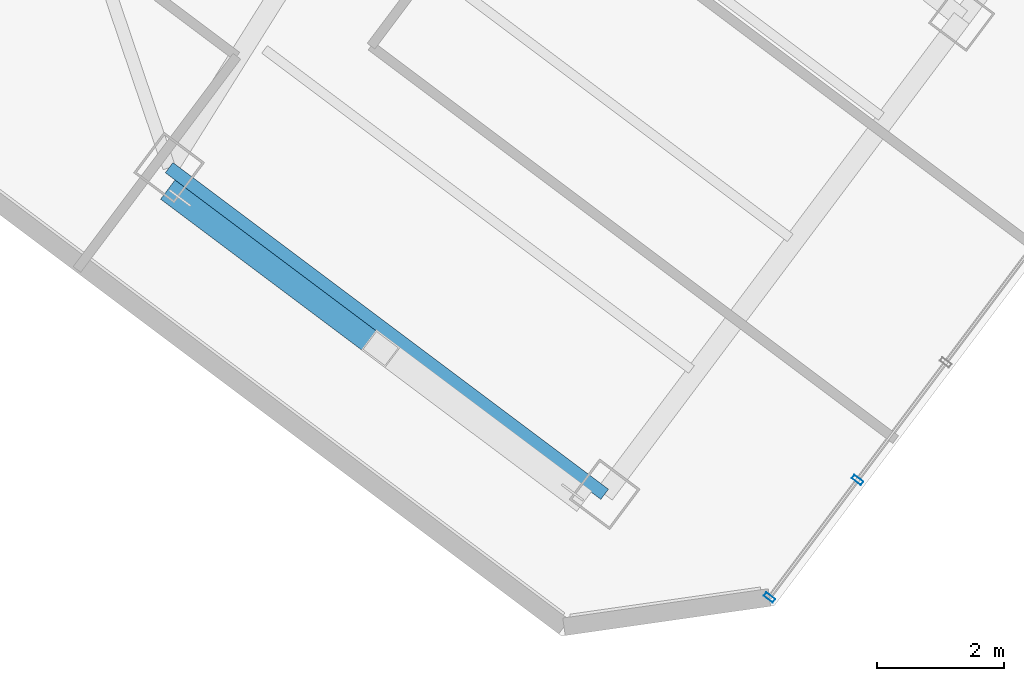
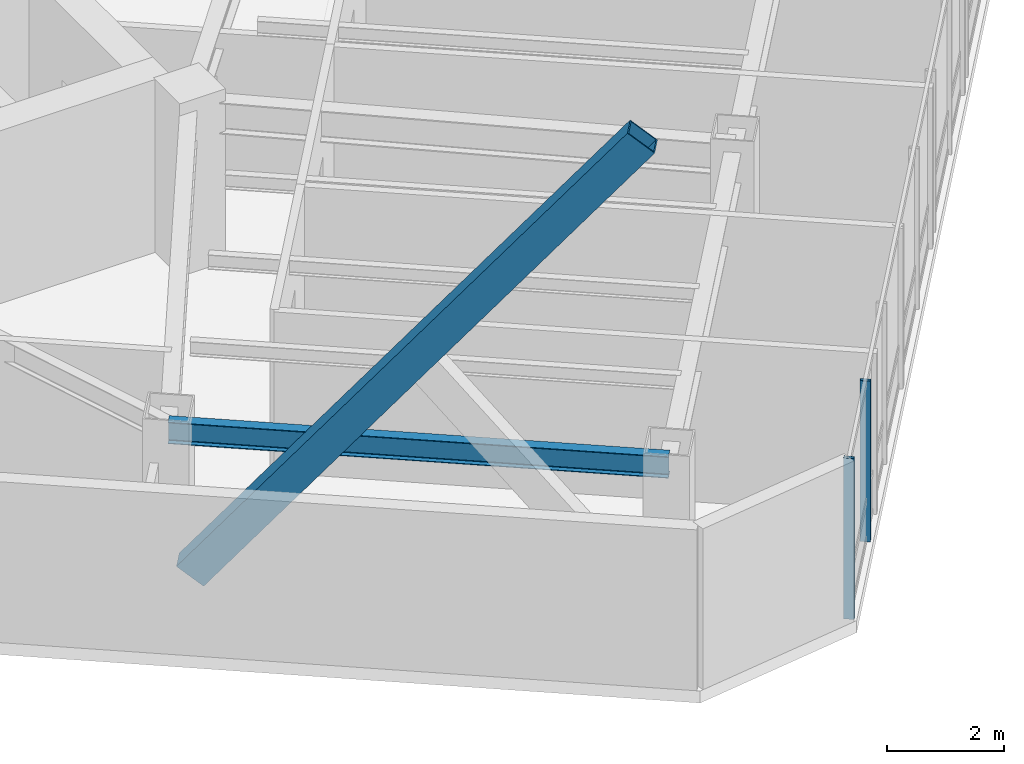
# One storey, part 10 of 27: 3 members, 1 beam, 1 element without a shape of its own.
"""IFC4 building model written with IfcOpenShell, lengths in metres."""

import ifcopenshell
import ifcopenshell.guid

model = None  # the IFC model being written
_history = None  # IfcOwnerHistory: only IFC2X3 demands one
_inside = {}  # id of a spatial element -> (the spatial element, [elements in it])
_under = {}  # id of a project, library or spatial element -> (it, [spatial elements below it])
_declared = {}  # id of a project -> (the project, [libraries it declares])
_typed = {}  # id of a type object -> (the type object, [elements of that type])
_made_of = {}  # id of a material, layer set ... -> (it, [elements and type objects made of it])


def new_model(schema):
    """Start an empty IFC model of exactly this schema.

    Asked for "IFC4X3", IfcOpenShell would pick the latest addendum, in which some entities
    have other attributes; the version numbers below select the first issue.
    IFC2X3 requires an IfcOwnerHistory on every rooted entity: one is made here for all.
    """
    global model, _history
    if schema == "IFC4X3":
        model = ifcopenshell.file(schema_version=(4, 3, 0, 0))
    else:
        model = ifcopenshell.file(schema=schema)
    _inside.clear()
    _under.clear()
    _declared.clear()
    _typed.clear()
    _made_of.clear()
    _history = None
    if model.schema == "IFC2X3":
        org = make("IfcOrganization", Name="unknown")
        user = make(
            "IfcPersonAndOrganization",
            ThePerson=make("IfcPerson", FamilyName="unknown"),
            TheOrganization=org,
        )
        app = make(
            "IfcApplication",
            ApplicationDeveloper=org,
            Version="unknown",
            ApplicationFullName="unknown",
            ApplicationIdentifier="unknown",
        )
        _history = make(
            "IfcOwnerHistory",
            OwningUser=user,
            OwningApplication=app,
            ChangeAction="ADDED",
            CreationDate=0,
        )
    return model


def make(cls, **values):
    """One entity of the class cls with the attributes given. An attribute that is None is left unset."""
    return model.create_entity(
        cls, **{name: value for name, value in values.items() if value is not None}
    )


def rooted(cls, **values):
    """An entity with a GlobalId (a new one), such as an element, a storey or a relation."""
    return make(cls, GlobalId=ifcopenshell.guid.new(), OwnerHistory=_history, **values)


def si_unit(unit_type, name, prefix=None):
    """IfcSIUnit, for example si_unit("LENGTHUNIT", "METRE", prefix="MILLI")."""
    return make("IfcSIUnit", UnitType=unit_type, Prefix=prefix, Name=name)


def assignment(units):
    """IfcUnitAssignment: the units of a project."""
    return None if units is None else make("IfcUnitAssignment", Units=units)


def point(xyz):
    """IfcCartesianPoint."""
    return None if xyz is None else make("IfcCartesianPoint", Coordinates=xyz)


def direction(xyz):
    """IfcDirection."""
    return None if xyz is None else make("IfcDirection", DirectionRatios=xyz)


def frame(location, z_axis=None, x_axis=None):
    """IfcAxis2Placement3D, a coordinate frame: its origin and axes. An axis left out is left unset."""
    return make(
        "IfcAxis2Placement3D",
        Location=point(location),
        Axis=direction(z_axis),
        RefDirection=direction(x_axis),
    )


def frame_2d(location, x_axis=None):
    """IfcAxis2Placement2D, a coordinate frame in the plane: its origin and x axis."""
    return make(
        "IfcAxis2Placement2D", Location=point(location), RefDirection=direction(x_axis)
    )


def origin():
    """The frame at (0, 0, 0) with its axes left unset."""
    return frame((0.0, 0.0, 0.0))


def origin_2d():
    """The frame at (0, 0) in the plane with its x axis left unset."""
    return frame_2d((0.0, 0.0))


def place(relative_to, where):
    """IfcLocalPlacement: puts the frame where relative to a parent placement (None: the world)."""
    return make(
        "IfcLocalPlacement", PlacementRelTo=relative_to, RelativePlacement=where
    )


def context(
    kind, dimensions, precision=None, world=None, true_north=None, identifier=None
):
    """IfcGeometricRepresentationContext, for example the 3D "Model" context."""
    return make(
        "IfcGeometricRepresentationContext",
        ContextIdentifier=identifier,
        ContextType=kind,
        CoordinateSpaceDimension=dimensions,
        Precision=precision,
        WorldCoordinateSystem=world,
        TrueNorth=true_north,
    )


def subcontext(parent, identifier, kind, view, scale=None):
    """IfcGeometricRepresentationSubContext, for example "Body" below "Model"."""
    return make(
        "IfcGeometricRepresentationSubContext",
        ContextIdentifier=identifier,
        ContextType=kind,
        ParentContext=parent,
        TargetScale=scale,
        TargetView=view,
    )


def project(units=None, contexts=None):
    """IfcProject with its units and contexts."""
    return rooted(
        "IfcProject",
        Name="project",
        RepresentationContexts=contexts,
        UnitsInContext=assignment(units),
    )


def spatial(cls, under=None, at=None, **own):
    """A site, building, storey or space (cls), placed at a placement, below another one or the project."""
    s = rooted(cls, ObjectPlacement=at, **own)
    if under is not None:
        _under.setdefault(under.id(), (under, []))[1].append(s)
    return s


def profile(cls, at=None, kind="AREA", **sizes):
    """A parametric profile (cls). Its sizes go by their IFC names, for example OverallWidth=200.0."""
    return make(cls, ProfileType=kind, Position=at, **sizes)


def hollow_rectangle(**sizes):
    """IfcRectangleHollowProfileDef."""
    return profile("IfcRectangleHollowProfileDef", **sizes)


def i_section(**sizes):
    """IfcIShapeProfileDef."""
    return profile("IfcIShapeProfileDef", **sizes)


def extrude(swept, where, along, depth):
    """IfcExtrudedAreaSolid: the profile swept, set in the frame where, extruded along a direction by depth."""
    return make(
        "IfcExtrudedAreaSolid",
        SweptArea=swept,
        Position=where,
        ExtrudedDirection=direction(along),
        Depth=depth,
    )


def shape(context_of_items, identifier, shape_type, items):
    """IfcShapeRepresentation: the items that make up one representation, for example the "Body"."""
    return make(
        "IfcShapeRepresentation",
        ContextOfItems=context_of_items,
        RepresentationIdentifier=identifier,
        RepresentationType=shape_type,
        Items=items,
    )


def material(Name=None, Category=None):
    """IfcMaterial."""
    return make("IfcMaterial", Name=Name, Category=Category)


def layer(
    of_material, thickness, ventilated=None, Name=None, Category=None, Priority=None
):
    """IfcMaterialLayer: one layer of a wall or slab, of a material (None: an air gap)."""
    return make(
        "IfcMaterialLayer",
        Material=of_material,
        LayerThickness=thickness,
        IsVentilated=ventilated,
        Name=Name,
        Category=Category,
        Priority=Priority,
    )


def layer_set(layers, Name=None):
    """IfcMaterialLayerSet."""
    return make("IfcMaterialLayerSet", MaterialLayers=layers, LayerSetName=Name)


def material_profile(
    of_material, cross_section, Name=None, Category=None, Priority=None
):
    """IfcMaterialProfile: a cross section and its material."""
    return make(
        "IfcMaterialProfile",
        Name=Name,
        Material=of_material,
        Profile=cross_section,
        Priority=Priority,
        Category=Category,
    )


def profile_set(profiles, Name=None, composite=None):
    """IfcMaterialProfileSet."""
    return make(
        "IfcMaterialProfileSet",
        Name=Name,
        MaterialProfiles=profiles,
        CompositeProfile=composite,
    )


def made_of(thing, what):
    """Note that an element or type object is made of a material, layer set ...; save() writes the relation."""
    if what is not None:
        _made_of.setdefault(what.id(), (what, []))[1].append(thing)
    return thing


def type_object(cls, material=None, **own):
    """A type object (cls), such as IfcWallType, which elements share."""
    return made_of(rooted(cls, **own), material)


def element(
    cls,
    number,
    at=None,
    inside=None,
    cuts=None,
    type_object=None,
    material=None,
    context=None,
    identifier="Body",
    shape_type=None,
    held_by="IfcProductDefinitionShape",
    body=None,
    shapes=None,
    **own,
):
    """One element of the class cls, such as IfcWall. Its Tag is "e" and its number.

    at: its placement. inside: the storey or other place that contains it. cuts: it is an
    opening in that element (IfcRelVoidsElement). A single representation is given by context,
    identifier, shape_type and body (its items); several are given by shapes. held_by: the class
    of the entity that holds the representations. save() writes the other relations.
    """
    e = rooted(cls, Tag="e%d" % number, ObjectPlacement=at, **own)
    if body is not None:
        shapes = [shape(context, identifier, shape_type, body)]
    if shapes is not None:
        e.Representation = make(held_by, Representations=shapes)
    if inside is not None:
        _inside.setdefault(inside.id(), (inside, []))[1].append(e)
    if cuts is not None:
        rooted(
            "IfcRelVoidsElement", RelatingBuildingElement=cuts, RelatedOpeningElement=e
        )
    if type_object is not None:
        _typed.setdefault(type_object.id(), (type_object, []))[1].append(e)
    return made_of(e, material)


def aggregate(whole, parts):
    """IfcRelAggregates: a whole, such as a stair, and the parts it consists of."""
    return rooted("IfcRelAggregates", RelatingObject=whole, RelatedObjects=parts)


def save(model, path):
    """Write the relations noted so far, then the file.

    IfcRelAggregates (storeys below a building ...), IfcRelContainedInSpatialStructure (elements
    in a storey), IfcRelDefinesByType, IfcRelAssociatesMaterial and IfcRelDeclares: one each for
    every whole, place, type object, material and project.
    """
    for whole, parts in _under.values():
        aggregate(whole, parts)
    for where, things in _inside.values():
        rooted(
            "IfcRelContainedInSpatialStructure",
            RelatedElements=things,
            RelatingStructure=where,
        )
    for kind, things in _typed.values():
        rooted("IfcRelDefinesByType", RelatedObjects=things, RelatingType=kind)
    for what, things in _made_of.values():
        rooted("IfcRelAssociatesMaterial", RelatedObjects=things, RelatingMaterial=what)
    for by, libraries in _declared.values():
        rooted("IfcRelDeclares", RelatingContext=by, RelatedDefinitions=libraries)
    model.write(path)


model = new_model("IFC4")

# Units and contexts
model_context = context("Model", 3, precision=1e-05, world=origin(), true_north=direction((0.0, 1.0)))
body_context = subcontext(model_context, "Body", "Model", "MODEL_VIEW")
ifc_project = project(units=[si_unit("LENGTHUNIT", "METRE"), si_unit("AREAUNIT", "SQUARE_METRE"), si_unit("VOLUMEUNIT", "CUBIC_METRE"), si_unit("PLANEANGLEUNIT", "RADIAN"), si_unit("MASSUNIT", "GRAM", prefix="KILO")], contexts=[model_context])

# Site, building, storey
site_placement = place(None, origin())
site = spatial("IfcSite", under=ifc_project, at=site_placement, CompositionType="ELEMENT")
building_placement = place(site_placement, origin())
building = spatial("IfcBuilding", under=site, at=building_placement, Name="Hatsunagi Terrace Concourse", CompositionType="ELEMENT")
storey_placement = place(building_placement, frame((0.0, 0.0, 167.25)))
storey = spatial("IfcBuildingStorey", under=building, at=storey_placement, Name="L44", CompositionType="ELEMENT", Elevation=167.25)

# Curtain wall, members
ifc_material_1 = material(Name="Anodised Aluminium Alloy 6063-T5", Category="aluminium")
ifc_layer = layer(ifc_material_1, 0.199951171875)
ifc_layer_set = layer_set([ifc_layer], Name="OfficeZone1_CW03")
curtain_wall_type = type_object("IfcCurtainWallType", Name="OfficeZone1_CW03", PredefinedType="NOTDEFINED", material=ifc_layer_set)
curtain_wall_placement = place(storey_placement, origin())
curtain_wall = element("IfcCurtainWall", 1, at=curtain_wall_placement, inside=storey, type_object=curtain_wall_type, Name="Unitised Curtain Wall CW-03 CW-L44-03", PredefinedType="NOTDEFINED")
ifc_material_2 = material(Name="Anodised Aluminium Alloy 6063-T5", Category="aluminium")
ifc_material_profile_1 = material_profile(ifc_material_2, hollow_rectangle(XDim=0.070068359375, YDim=0.179931640625, WallThickness=0.00390625, at=origin_2d()), Name="ALU-MUL-180x70x4")
ifc_profile_set_1 = profile_set([ifc_material_profile_1], Name="Anodised Aluminium Alloy 6063-T5")
member_type_1 = type_object("IfcMemberType", Name="CurtainWallMullion_180x70", PredefinedType="MULLION", material=ifc_profile_set_1)
member_1_placement = place(storey_placement, frame((49.554931640625, 11.10595703125, 0.0), z_axis=(0.0, 0.0, 1.0), x_axis=(-0.599969314634, -0.800023013105, 0.0)))
member_1 = element("IfcMember", 2, at=member_1_placement, type_object=member_type_1, Name="Curtain Wall Mullion MUL-02", PredefinedType="MULLION", context=body_context, shape_type="SweptSolid", body=[
    extrude(hollow_rectangle(XDim=0.070068359375, YDim=0.179931640625, WallThickness=0.00390625, at=origin_2d()), origin(), (0.0, 0.0, 1.0), 3.35009765625),
])
member_2_placement = place(storey_placement, frame((48.1630859375, 9.25, 0.0), z_axis=(0.0, 0.0, 1.0), x_axis=(-0.599969314634, -0.800023013105, 0.0)))
member_2 = element("IfcMember", 3, at=member_2_placement, type_object=member_type_1, Name="Curtain Wall Mullion MUL-02", PredefinedType="MULLION", context=body_context, shape_type="SweptSolid", body=[
    extrude(hollow_rectangle(XDim=0.070068359375, YDim=0.179931640625, WallThickness=0.00390625, at=origin_2d()), origin(), (0.0, 0.0, 1.0), 3.35009765625),
])
aggregate(curtain_wall, [member_1, member_2])

# Beam
ifc_material_3 = material(Name="Steel SN490B", Category="steel")
ifc_material_profile_2 = material_profile(ifc_material_3, i_section(OverallWidth=0.199951171875, OverallDepth=0.449951171875, WebThickness=0.009033203125, FlangeThickness=0.013916015625, FilletRadius=0.01611328125, at=origin_2d()), Name="H-450x200x9x14")
ifc_profile_set_2 = profile_set([ifc_material_profile_2], Name="Steel SN490B")
beam_type = type_object("IfcBeamType", Name="PerimeterSpandrel_H_450x200", PredefinedType="SPANDREL", material=ifc_profile_set_2)
beam_placement = place(storey_placement, frame((38.679931640625, 16.0400390625, 3.125), z_axis=(0.799996593451, -0.600004542038, 0.0), x_axis=(0.600004542038, 0.799996593451, 0.0)))
element("IfcBeam", 4, at=beam_placement, inside=storey, type_object=beam_type, Name="Beam SP-02 BM-L44-SE-SW2", PredefinedType="SPANDREL", context=body_context, shape_type="SweptSolid", body=[
    extrude(i_section(OverallWidth=0.199951171875, OverallDepth=0.449951171875, WebThickness=0.009033203125, FlangeThickness=0.013916015625, FilletRadius=0.01611328125, at=origin_2d()), origin(), (0.0, 0.0, 1.0), 8.60009765625),
])

# Member
ifc_material_4 = material(Name="Steel SN490B", Category="steel")
ifc_material_profile_3 = material_profile(ifc_material_4, hollow_rectangle(XDim=0.39990234375, YDim=0.60009765625, WallThickness=0.02490234375, at=origin_2d()), Name="RHS-600x400x25")
ifc_profile_set_3 = profile_set([ifc_material_profile_3], Name="Steel SN490B")
member_type_2 = type_object("IfcMemberType", Name="PerimeterXBrace_Mid_RHS_600x400x25", PredefinedType="BRACE", material=ifc_profile_set_3)
member_3_placement = place(storey_placement, frame((38.85205078125, 15.56103515625, 0.43994140625), z_axis=(0.500296526216, -0.375237170106, 0.780320736637), x_axis=(0.600015120765, 0.799988659203, 0.0)))
element("IfcMember", 5, at=member_3_placement, inside=storey, type_object=member_type_2, Name="Perimeter X-Brace XB-02 XB-L44-SEA", PredefinedType="BRACE", context=body_context, shape_type="SweptSolid", body=[
    extrude(hollow_rectangle(XDim=0.39990234375, YDim=0.60009765625, WallThickness=0.02490234375, at=origin_2d()), origin(), (0.0, 0.0, 1.0), 12.392578125),
])

save(model, "model.ifc")
